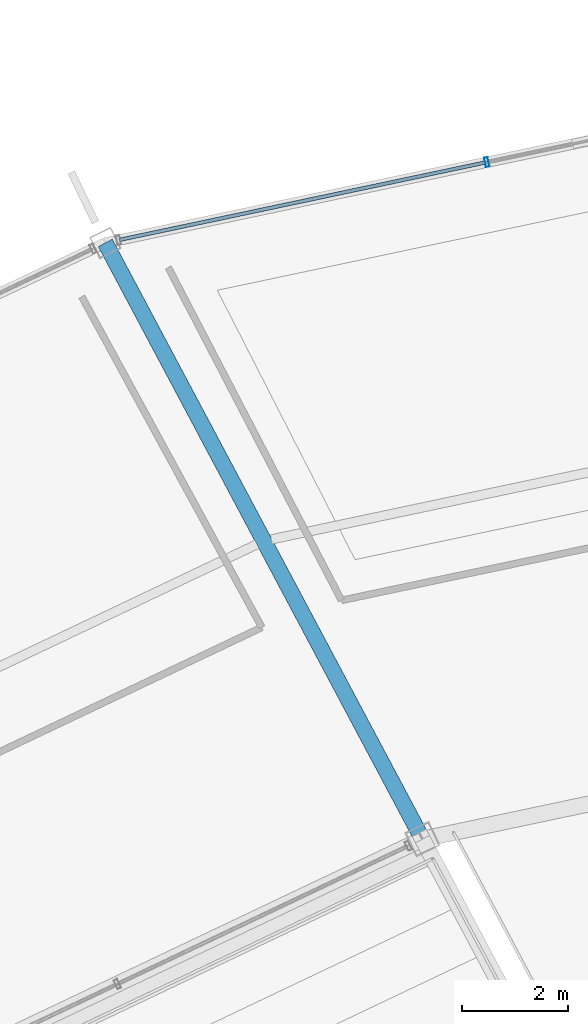
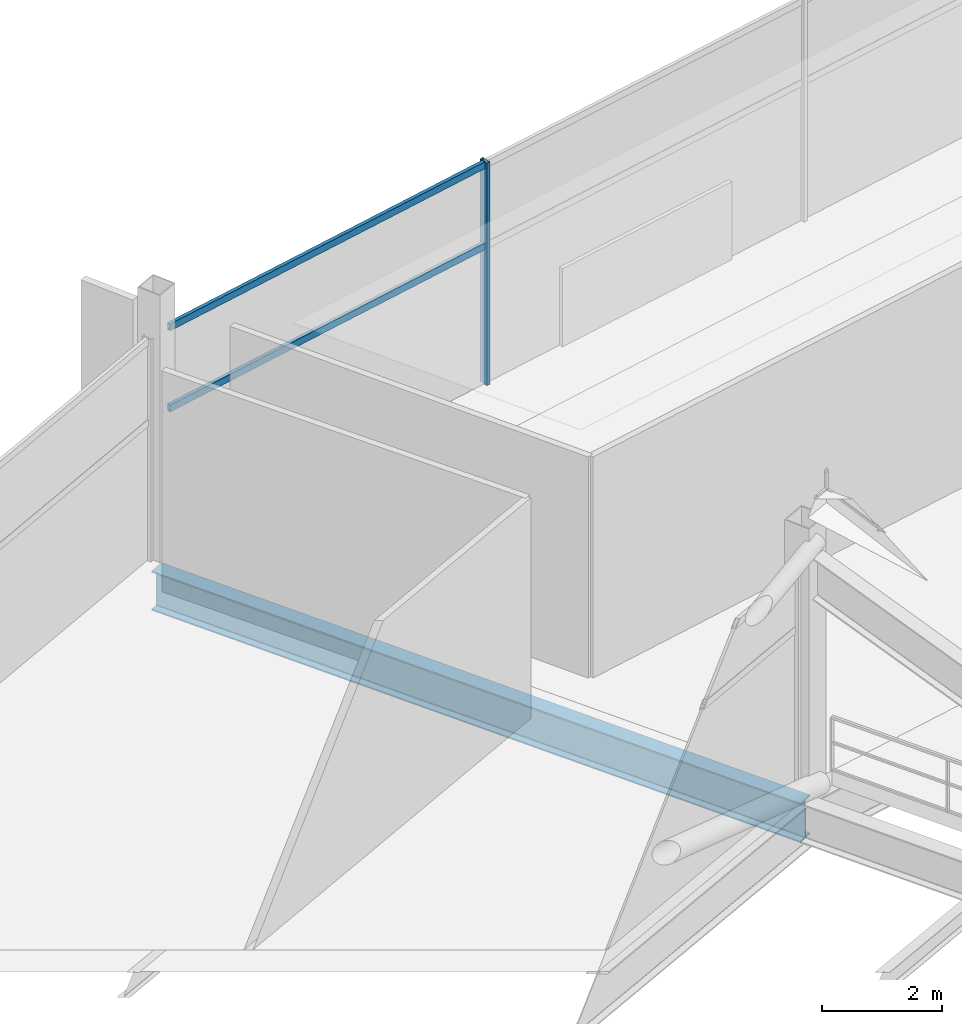
# One storey, part 94 of 186: 3 members, 1 beam, 1 element without a shape of its own.
"""IFC4 building model written with IfcOpenShell, lengths in metres."""

from ifc_helpers import new_model, si_unit, direction, frame, origin, origin_2d, place, context, subcontext, project, spatial, hollow_rectangle, i_section, extrude, material, layer, layer_set, material_profile, profile_set, type_object, element, aggregate, save


model = new_model("IFC4")

# Units and contexts
model_context = context("Model", 3, precision=1e-05, world=origin(), true_north=direction((0.0, 1.0)))
body_context = subcontext(model_context, "Body", "Model", "MODEL_VIEW")
ifc_project = project(units=[si_unit("LENGTHUNIT", "METRE"), si_unit("AREAUNIT", "SQUARE_METRE"), si_unit("VOLUMEUNIT", "CUBIC_METRE"), si_unit("PLANEANGLEUNIT", "RADIAN"), si_unit("MASSUNIT", "GRAM", prefix="KILO")], contexts=[model_context])

# Site, building, storey
site_placement = place(None, origin())
site = spatial("IfcSite", under=ifc_project, at=site_placement, CompositionType="ELEMENT")
building_placement = place(site_placement, origin())
building = spatial("IfcBuilding", under=site, at=building_placement, Name="Kazemori Nagisa Stadium", CompositionType="ELEMENT")
storey_placement = place(building_placement, frame((0.0, 0.0, 20.39990234375)))
storey = spatial("IfcBuildingStorey", under=building, at=storey_placement, Name="L04", CompositionType="ELEMENT", Elevation=20.39990234375)

# Beam
ifc_material_1 = material(Name="Steel SN490B", Category="steel")
ifc_material_profile_1 = material_profile(ifc_material_1, i_section(OverallWidth=0.300048828125, OverallDepth=0.800048828125, WebThickness=0.013916015625, FlangeThickness=0.02587890625, FilletRadius=0.01806640625, at=origin_2d()), Name="H-800x300x14x26")
ifc_profile_set_1 = profile_set([ifc_material_profile_1], Name="Steel SN490B")
beam_type = type_object("IfcBeamType", Name="Beam_BG-H800", PredefinedType="BEAM", material=ifc_profile_set_1)
beam_placement = place(storey_placement, frame((86.18798828125, 171.19921875, -0.699951171875), z_axis=(-0.469648511848, 0.882853484628, 0.0), x_axis=(-0.882853484628, -0.469648511848, 0.0)))
element("IfcBeam", 1, at=beam_placement, inside=storey, type_object=beam_type, Name="Radial girder BG-H800 L04 R2-R3-10", PredefinedType="BEAM", context=body_context, shape_type="SweptSolid", body=[
    extrude(i_section(OverallWidth=0.300048828125, OverallDepth=0.800048828125, WebThickness=0.013916015625, FlangeThickness=0.02587890625, FilletRadius=0.01806640625, at=origin_2d()), origin(), (0.0, 0.0, 1.0), 12.760009765625),
])

# Curtain wall, members
ifc_material_2 = material(Name="Anodised aluminium 6063-T5", Category="aluminium")
ifc_layer = layer(ifc_material_2, 0.179931640625, Name="Anodised aluminium 6063-T5", Category="aluminium")
ifc_layer_set = layer_set([ifc_layer], Name="Anodised aluminium 6063-T5")
curtain_wall_type = type_object("IfcCurtainWallType", Name="CW_L04R3_107", PredefinedType="USERDEFINED", material=ifc_layer_set)
curtain_wall_placement = place(storey_placement, origin())
curtain_wall = element("IfcCurtainWall", 2, at=curtain_wall_placement, inside=storey, type_object=curtain_wall_type, Name="Unitised curtain wall CW-L04R3-107 L04", ObjectType="UNITISED CURTAIN WALL", PredefinedType="USERDEFINED")
ifc_material_3 = material(Name="Aluminium 6063-T5 anodised", Category="aluminium")
ifc_material_profile_2 = material_profile(ifc_material_3, hollow_rectangle(XDim=0.070068359375, YDim=0.179931640625, WallThickness=0.00390625, at=origin_2d()), Name="ALU-MULL-70x180x4")
ifc_profile_set_2 = profile_set([ifc_material_profile_2], Name="Aluminium 6063-T5 anodised")
member_type_1 = type_object("IfcMemberType", Name="Mullion_M01", PredefinedType="MULLION", material=ifc_profile_set_2)
member_1_placement = place(storey_placement, frame((87.404052734375, 183.9892578125, 0.0), z_axis=(0.0, 0.0, 1.0), x_axis=(-0.978344955407, -0.206981033502, 0.0)))
member_1 = element("IfcMember", 3, at=member_1_placement, type_object=member_type_1, Name="Curtain wall mullion CW-L04R3-107-M3", PredefinedType="MULLION", context=body_context, shape_type="SweptSolid", body=[
    extrude(hollow_rectangle(XDim=0.070068359375, YDim=0.179931640625, WallThickness=0.00390625, at=origin_2d()), origin(), (0.0, 0.0, 1.0), 4.530029296875),
])
ifc_material_profile_3 = material_profile(ifc_material_3, hollow_rectangle(XDim=0.070068359375, YDim=0.139892578125, WallThickness=0.00390625, at=origin_2d()), Name="ALU-TRAN-70x140x4")
ifc_profile_set_3 = profile_set([ifc_material_profile_3], Name="Aluminium 6063-T5 anodised")
member_type_2 = type_object("IfcMemberType", Name="Transom_T01", PredefinedType="USERDEFINED", material=ifc_profile_set_3)
member_2_placement = place(storey_placement, frame((87.384521484375, 183.9853515625, 2.80859375), z_axis=(-0.97834311718, -0.206989722128, 0.0), x_axis=(0.206989722128, -0.97834311718, 0.0)))
member_2 = element("IfcMember", 4, at=member_2_placement, type_object=member_type_2, Name="Curtain wall transom CW-L04R3-107-T3-mid", ObjectType="TRANSOM", PredefinedType="USERDEFINED", context=body_context, shape_type="SweptSolid", body=[
    extrude(hollow_rectangle(XDim=0.070068359375, YDim=0.139892578125, WallThickness=0.00390625, at=origin_2d()), origin(), (0.0, 0.0, 1.0), 7.0732421875),
])
member_3_placement = place(storey_placement, frame((87.384521484375, 183.9853515625, 4.460205078125), z_axis=(-0.97834311718, -0.206989722128, 0.0), x_axis=(0.206989722128, -0.97834311718, 0.0)))
member_3 = element("IfcMember", 5, at=member_3_placement, type_object=member_type_2, Name="Curtain wall transom CW-L04R3-107-T3-head", ObjectType="TRANSOM", PredefinedType="USERDEFINED", context=body_context, shape_type="SweptSolid", body=[
    extrude(hollow_rectangle(XDim=0.070068359375, YDim=0.139892578125, WallThickness=0.00390625, at=origin_2d()), origin(), (0.0, 0.0, 1.0), 7.0732421875),
])
aggregate(curtain_wall, [member_1, member_2, member_3])

save(model, "model.ifc")
